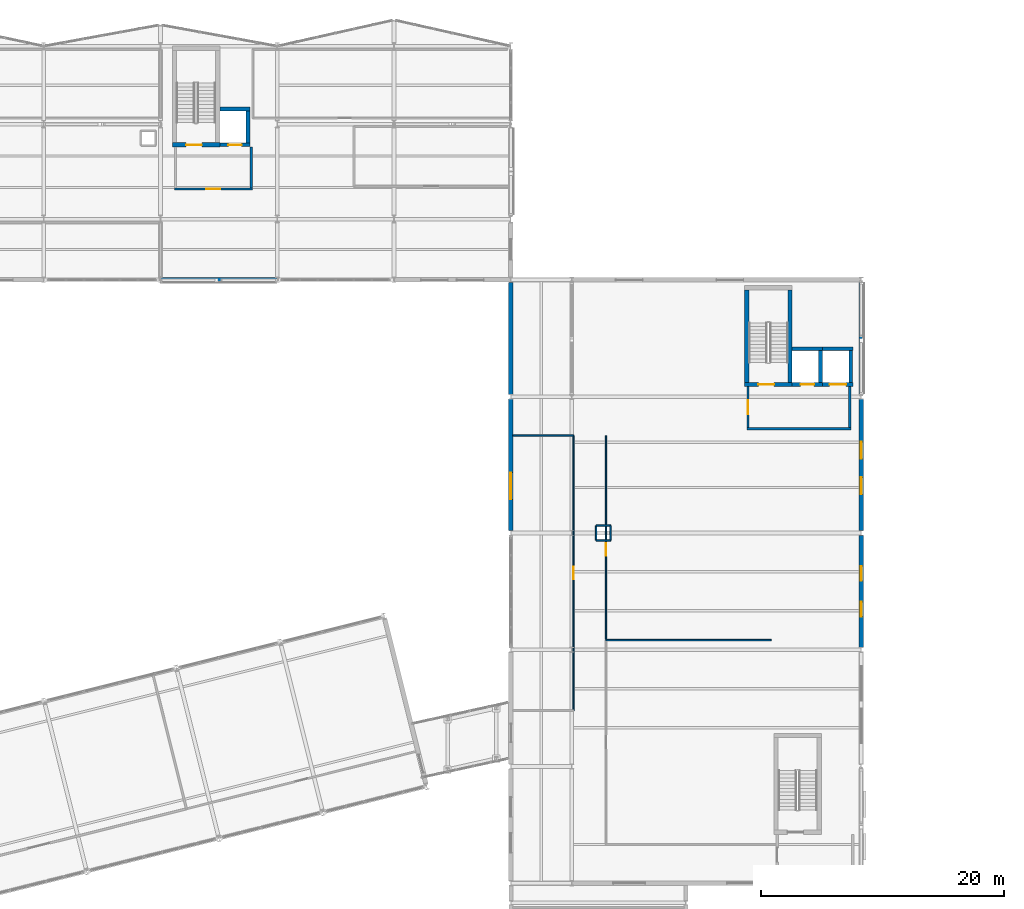
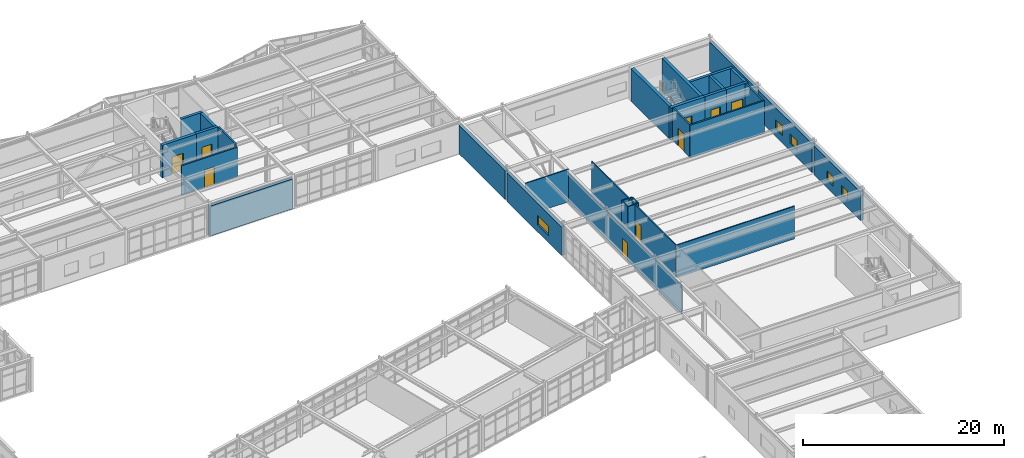
# One storey, part 86 of 99: 32 walls, 9 doors, 5 windows, 14 openings.
"""IFC4 building model written with IfcOpenShell, lengths in metres."""

from ifc_helpers import new_model, si_unit, direction, frame, frame_2d, origin, place, context, subcontext, project, spatial, rectangle, extrude, material, layer, layer_set, type_object, element, fill, save


model = new_model("IFC4")

# Units and contexts
model_context = context("Model", 3, precision=1e-05, world=origin(), true_north=direction((0.0, 1.0)))
body_context = subcontext(model_context, "Body", "Model", "MODEL_VIEW")
ifc_project = project(units=[si_unit("LENGTHUNIT", "METRE"), si_unit("AREAUNIT", "SQUARE_METRE"), si_unit("VOLUMEUNIT", "CUBIC_METRE"), si_unit("PLANEANGLEUNIT", "RADIAN"), si_unit("MASSUNIT", "GRAM", prefix="KILO")], contexts=[model_context])

# Site, building, storey
site_placement = place(None, origin())
site = spatial("IfcSite", under=ifc_project, at=site_placement, CompositionType="ELEMENT")
building_placement = place(site_placement, origin())
building = spatial("IfcBuilding", under=site, at=building_placement, Name="Nordkorset Police Headquarters", CompositionType="ELEMENT")
storey_placement = place(building_placement, frame((0.0, 0.0, 5.25)))
storey = spatial("IfcBuildingStorey", under=building, at=storey_placement, Name="L01", CompositionType="ELEMENT", Elevation=5.25)

# Wall, opening, door
ifc_material_1 = material(Name="Gypsum board", Category="gypsum")
ifc_layer_1 = layer(ifc_material_1, 0.179931640625, Name="Gypsum board")
ifc_layer_set_1 = layer_set([ifc_layer_1], Name="Gypsum board")
wall_type_1 = type_object("IfcWallType", Name="Wall_Comp_180", PredefinedType="PARTITIONING", material=ifc_layer_set_1)
wall_1_placement = place(storey_placement, frame((58.75, 105.06005859375, 0.0), z_axis=(0.0, 0.0, 1.0), x_axis=(1.0, 0.0, 0.0)))
wall_1 = element("IfcWall", 1, at=wall_1_placement, inside=storey, type_object=wall_type_1, Name="Firefighting Lobby EI 60 Wall K2 L01 S", PredefinedType="PARTITIONING", context=body_context, shape_type="SweptSolid", body=[
    extrude(rectangle(XDim=6.39990234375, YDim=0.179931640625, at=frame_2d((3.199951171875, 0.0))), origin(), (0.0, 0.0, 1.0), 3.580078125),
])
opening_1_placement = place(wall_1_placement, frame((2.625, 0.0, 0.0)))
opening_1 = element("IfcOpeningElement", 2, at=opening_1_placement, cuts=wall_1, Name="Opening DR-01", PredefinedType="OPENING", context=body_context, shape_type="SweptSolid", body=[
    extrude(rectangle(XDim=1.14990234375, YDim=2.14990234375, at=frame_2d((0.574951171875, 1.074951171875))), frame((0.0, 0.10009765625, 0.0), z_axis=(0.0, -1.0, 0.0), x_axis=(1.0, 0.0, 0.0)), (0.0, 0.0, 1.0), 0.199951171875),
])
ifc_material_2 = material(Name="Steel S355J2", Category="steel")
door_type_1 = type_object("IfcDoorType", Name="Door_LobbySingle_1150x2150", OperationType="NOTDEFINED", PredefinedType="DOOR", material=ifc_material_2)
door_1_placement = place(opening_1_placement, frame((1.14990234375, 0.0, 0.0), z_axis=(0.0, 0.0, 1.0), x_axis=(-1.0, 0.0, 0.0)))
door_1 = element("IfcDoor", 3, at=door_1_placement, inside=storey, type_object=door_type_1, Name="Firefighting Lobby Smoke Door K2 L01 S", OperationType="SINGLE_SWING_LEFT", OverallHeight=2.14990234375, OverallWidth=1.14990234375, PredefinedType="DOOR", context=body_context, shape_type="SweptSolid", body=[
    extrude(rectangle(XDim=1.14990234375, YDim=2.14990234375, at=frame_2d((0.574951171875, 1.074951171875))), frame((0.0, 0.02490234375, 0.0), z_axis=(0.0, -1.0, 0.0), x_axis=(1.0, 0.0, 0.0)), (0.0, 0.0, 1.0), 0.050048828125),
])
fill(opening_1, door_1)

# Walls
wall_2_placement = place(storey_placement, frame((65.06005859375, 105.14990234375, 0.0), z_axis=(0.0, 0.0, 1.0), x_axis=(0.0, 1.0, 0.0)))
element("IfcWall", 4, at=wall_2_placement, inside=storey, type_object=wall_type_1, Name="Firefighting Lobby EI 60 Wall K2 L01 E", PredefinedType="PARTITIONING", context=body_context, shape_type="SweptSolid", body=[
    extrude(rectangle(XDim=3.375, YDim=0.179931640625, at=frame_2d((1.6875, 0.0))), origin(), (0.0, 0.0, 1.0), 3.9599609375),
])
wall_3_placement = place(storey_placement, frame((105.800048828125, 85.360107421875, 0.0), z_axis=(0.0, 0.0, 1.0), x_axis=(1.0, 0.0, 0.0)))
element("IfcWall", 5, at=wall_3_placement, inside=storey, type_object=wall_type_1, Name="Firefighting Lobby EI 60 Wall K5 L01 S", PredefinedType="PARTITIONING", context=body_context, shape_type="SweptSolid", body=[
    extrude(rectangle(XDim=8.550048828125, YDim=0.179931640625, at=frame_2d((4.27490234375, 0.0))), origin(), (0.0, 0.0, 1.0), 3.9599609375),
])

# Wall, opening, door
wall_4_placement = place(storey_placement, frame((105.889892578125, 85.449951171875, 0.0), z_axis=(0.0, 0.0, 1.0), x_axis=(0.0, 1.0, 0.0)))
wall_4 = element("IfcWall", 6, at=wall_4_placement, inside=storey, type_object=wall_type_1, Name="Firefighting Lobby EI 60 Wall K5 L01 W", PredefinedType="PARTITIONING", context=body_context, shape_type="SweptSolid", body=[
    extrude(rectangle(XDim=3.375, YDim=0.179931640625, at=frame_2d((1.6875, 0.0))), origin(), (0.0, 0.0, 1.0), 3.9599609375),
])
opening_2_placement = place(wall_4_placement, frame((1.112548828125, 0.0, 0.0)))
opening_2 = element("IfcOpeningElement", 7, at=opening_2_placement, cuts=wall_4, Name="Opening DR-01", PredefinedType="OPENING", context=body_context, shape_type="SweptSolid", body=[
    extrude(rectangle(XDim=1.14990234375, YDim=2.14990234375, at=frame_2d((0.574951171875, 1.074951171875))), frame((0.0, 0.10009765625, 0.0), z_axis=(0.0, -1.0, 0.0), x_axis=(1.0, 0.0, 0.0)), (0.0, 0.0, 1.0), 0.199951171875),
])
door_2_placement = place(opening_2_placement, origin())
door_2 = element("IfcDoor", 8, at=door_2_placement, inside=storey, type_object=door_type_1, Name="Firefighting Lobby Smoke Door K5 L01 W", OperationType="SINGLE_SWING_LEFT", OverallHeight=2.14990234375, OverallWidth=1.14990234375, PredefinedType="DOOR", context=body_context, shape_type="SweptSolid", body=[
    extrude(rectangle(XDim=1.14990234375, YDim=2.14990234375, at=frame_2d((0.574951171875, 1.074951171875))), frame((0.0, 0.02490234375, 0.0), z_axis=(0.0, -1.0, 0.0), x_axis=(1.0, 0.0, 0.0)), (0.0, 0.0, 1.0), 0.050048828125),
])
fill(opening_2, door_2)

# Wall
wall_5_placement = place(storey_placement, frame((114.260009765625, 85.449951171875, 0.0), z_axis=(0.0, 0.0, 1.0), x_axis=(0.0, 1.0, 0.0)))
element("IfcWall", 9, at=wall_5_placement, inside=storey, type_object=wall_type_1, Name="Firefighting Lobby EI 60 Wall K5 L01 E", PredefinedType="PARTITIONING", context=body_context, shape_type="SweptSolid", body=[
    extrude(rectangle(XDim=3.375, YDim=0.179931640625, at=frame_2d((1.6875, 0.0))), origin(), (0.0, 0.0, 1.0), 3.9599609375),
])

# Wall, opening, door
ifc_material_3 = material(Name="Concrete C35/45", Category="concrete")
ifc_layer_2 = layer(ifc_material_3, 0.35009765625, Name="Concrete C35/45")
ifc_layer_set_2 = layer_set([ifc_layer_2], Name="Concrete C35/45")
wall_type_2 = type_object("IfcWallType", Name="Wall_CoreShear_350", PredefinedType="SHEAR", material=ifc_layer_set_2)
wall_6_placement = place(storey_placement, frame((58.574951171875, 108.699951171875, 0.0), z_axis=(0.0, 0.0, 1.0), x_axis=(1.0, 0.0, 0.0)))
wall_6 = element("IfcWall", 10, at=wall_6_placement, inside=storey, type_object=wall_type_2, Name="Core K2 Stair Shaft South Shear Wall L01", PredefinedType="SHEAR", context=body_context, shape_type="SweptSolid", body=[
    extrude(rectangle(XDim=3.900146484375, YDim=0.35009765625, at=frame_2d((1.9501953125, 0.0))), origin(), (0.0, 0.0, 1.0), 3.9599609375),
])
opening_3_placement = place(wall_6_placement, frame((1.125, 0.0, 0.0)))
opening_3 = element("IfcOpeningElement", 11, at=opening_3_placement, cuts=wall_6, Name="Opening DR-20", PredefinedType="OPENING", context=body_context, shape_type="SweptSolid", body=[
    extrude(rectangle(XDim=1.300048828125, YDim=2.14990234375, at=frame_2d((0.64990234375, 1.074951171875))), frame((0.0, 0.18505859375, 0.0), z_axis=(0.0, -1.0, 0.0), x_axis=(1.0, 0.0, 0.0)), (0.0, 0.0, 1.0), 0.3701171875),
])
ifc_material_4 = material(Name="Steel S355J2", Category="steel")
door_type_2 = type_object("IfcDoorType", Name="Door_Stair_1300x2150", OperationType="NOTDEFINED", PredefinedType="DOOR", material=ifc_material_4)
door_3_placement = place(opening_3_placement, frame((1.300048828125, 0.0, 0.0), z_axis=(0.0, 0.0, 1.0), x_axis=(-1.0, 0.0, 0.0)))
door_3 = element("IfcDoor", 12, at=door_3_placement, inside=storey, type_object=door_type_2, Name="Protected Stair Fire Door ST-02 L01", OperationType="SINGLE_SWING_RIGHT", OverallHeight=2.14990234375, OverallWidth=1.300048828125, PredefinedType="DOOR", context=body_context, shape_type="SweptSolid", body=[
    extrude(rectangle(XDim=1.300048828125, YDim=2.14990234375, at=frame_2d((0.64990234375, 1.074951171875))), frame((0.0, 0.02490234375, 0.0), z_axis=(0.0, -1.0, 0.0), x_axis=(1.0, 0.0, 0.0)), (0.0, 0.0, 1.0), 0.050048828125),
])
fill(opening_3, door_3)

wall_7_placement = place(storey_placement, frame((105.625, 89.0, 0.0), z_axis=(0.0, 0.0, 1.0), x_axis=(1.0, 0.0, 0.0)))
wall_7 = element("IfcWall", 13, at=wall_7_placement, inside=storey, type_object=wall_type_2, Name="Core K5 Stair Shaft South Shear Wall L01", PredefinedType="SHEAR", context=body_context, shape_type="SweptSolid", body=[
    extrude(rectangle(XDim=3.89990234375, YDim=0.35009765625, at=frame_2d((1.949951171875, 0.0))), origin(), (0.0, 0.0, 1.0), 3.9599609375),
])
opening_4_placement = place(wall_7_placement, frame((1.125, 0.0, 0.0)))
opening_4 = element("IfcOpeningElement", 14, at=opening_4_placement, cuts=wall_7, Name="Opening DR-20", PredefinedType="OPENING", context=body_context, shape_type="SweptSolid", body=[
    extrude(rectangle(XDim=1.300048828125, YDim=2.14990234375, at=frame_2d((0.64990234375, 1.074951171875))), frame((0.0, 0.18505859375, 0.0), z_axis=(0.0, -1.0, 0.0), x_axis=(1.0, 0.0, 0.0)), (0.0, 0.0, 1.0), 0.3701171875),
])
door_4_placement = place(opening_4_placement, frame((1.300048828125, 0.0, 0.0), z_axis=(0.0, 0.0, 1.0), x_axis=(-1.0, 0.0, 0.0)))
door_4 = element("IfcDoor", 15, at=door_4_placement, inside=storey, type_object=door_type_2, Name="Protected Stair Fire Door ST-05 L01", OperationType="SINGLE_SWING_RIGHT", OverallHeight=2.14990234375, OverallWidth=1.300048828125, PredefinedType="DOOR", context=body_context, shape_type="SweptSolid", body=[
    extrude(rectangle(XDim=1.300048828125, YDim=2.14990234375, at=frame_2d((0.64990234375, 1.074951171875))), frame((0.0, 0.02490234375, 0.0), z_axis=(0.0, -1.0, 0.0), x_axis=(1.0, 0.0, 0.0)), (0.0, 0.0, 1.0), 0.050048828125),
])
fill(opening_4, door_4)

# Walls
for number, where, z_axis, x_axis, name in (
    (16, (105.800048828125, 89.175048828125, 0.0), (0.0, 0.0, 1.0), (0.0, 1.0, 0.0), "Core K5 Stair Shaft West Shear Wall L01"),
    (17, (109.35009765625, 89.175048828125, 0.0), (0.0, 0.0, 1.0), (0.0, 1.0, 0.0), "Core K5 Stair Shaft East Shear Wall L01"),
):
    element("IfcWall", number, at=place(storey_placement, frame(where, z_axis=z_axis, x_axis=x_axis)), inside=storey, type_object=wall_type_2, Name=name, PredefinedType="SHEAR", context=body_context, shape_type="SweptSolid", body=[
        extrude(rectangle(XDim=7.599853515625, YDim=0.35009765625, at=frame_2d((3.7998046875, 0.0))), origin(), (0.0, 0.0, 1.0), 3.9599609375),
    ])
ifc_material_5 = material(Name="Precast concrete C40/50", Category="concrete")
ifc_layer_3 = layer(ifc_material_5, 0.360107421875, Name="Precast concrete C40/50")
ifc_layer_set_3 = layer_set([ifc_layer_3], Name="Precast concrete C40/50")
wall_type_3 = type_object("IfcWallType", Name="Wall_ExtPrecast_360", PredefinedType="SOLIDWALL", material=ifc_layer_set_3)
wall_8_placement = place(storey_placement, frame((57.608642578125, 97.60009765625, 0.0), z_axis=(0.0, 0.0, 1.0), x_axis=(1.0, 0.0, 0.0)))
element("IfcWall", 18, at=wall_8_placement, inside=storey, type_object=wall_type_3, Name="Exterior Insulated Precast Wall L01 V2S-3", PredefinedType="SOLIDWALL", context=body_context, shape_type="SweptSolid", body=[
    extrude(rectangle(XDim=9.58251953125, YDim=0.360107421875, at=frame_2d((4.791259765625, 0.0))), origin(), (0.0, 0.0, 1.0), 3.6298828125),
])

# Wall, openings, windows
wall_9_placement = place(storey_placement, frame((115.199951171875, 67.402099609375, 0.0), z_axis=(0.0, 0.0, 1.0), x_axis=(0.0, 1.0, 0.0)))
wall_9 = element("IfcWall", 19, at=wall_9_placement, inside=storey, type_object=wall_type_3, Name="Exterior Insulated Precast Wall L01 V5E-2", PredefinedType="SOLIDWALL", context=body_context, shape_type="SweptSolid", body=[
    extrude(rectangle(XDim=9.19580078125, YDim=0.360107421875, at=frame_2d((4.597900390625, 0.0))), origin(), (0.0, 0.0, 1.0), 3.5),
])
opening_5_placement = place(wall_9_placement, frame((2.53125, 0.0, 0.89990234375)))
opening_5 = element("IfcOpeningElement", 20, at=opening_5_placement, cuts=wall_9, Name="Opening WN-19", PredefinedType="OPENING", context=body_context, shape_type="SweptSolid", body=[
    extrude(rectangle(XDim=1.199951171875, YDim=1.14990234375, at=frame_2d((0.60009765625, 0.574951171875))), frame((0.0, 0.18994140625, 0.0), z_axis=(0.0, -1.0, 0.0), x_axis=(1.0, 0.0, 0.0)), (0.0, 0.0, 1.0), 0.380126953125),
])
opening_6_placement = place(wall_9_placement, frame((5.464599609375, 0.0, 0.89990234375)))
opening_6 = element("IfcOpeningElement", 21, at=opening_6_placement, cuts=wall_9, Name="Opening WN-19", PredefinedType="OPENING", context=body_context, shape_type="SweptSolid", body=[
    extrude(rectangle(XDim=1.199951171875, YDim=1.14990234375, at=frame_2d((0.60009765625, 0.574951171875))), frame((0.0, 0.18994140625, 0.0), z_axis=(0.0, -1.0, 0.0), x_axis=(1.0, 0.0, 0.0)), (0.0, 0.0, 1.0), 0.380126953125),
])
ifc_material_6 = material(Name="Low-iron triple glazing", Category="glass")
window_type_1 = type_object("IfcWindowType", Name="Win_1200x1150", PartitioningType="SINGLE_PANEL", PredefinedType="WINDOW", material=ifc_material_6)
window_1_placement = place(opening_5_placement, origin())
window_1 = element("IfcWindow", 22, at=window_1_placement, inside=storey, type_object=window_type_1, Name="Triple-Glazed Exterior Window L01 V5E-2-1", OverallHeight=1.14990234375, OverallWidth=1.199951171875, PartitioningType="SINGLE_PANEL", PredefinedType="WINDOW", context=body_context, shape_type="SweptSolid", body=[
    extrude(rectangle(XDim=1.199951171875, YDim=1.14990234375, at=frame_2d((0.60009765625, 0.574951171875))), frame((0.0, 0.030029296875, 0.0), z_axis=(0.0, -1.0, 0.0), x_axis=(1.0, 0.0, 0.0)), (0.0, 0.0, 1.0), 0.06005859375),
])
fill(opening_5, window_1)
window_2_placement = place(opening_6_placement, origin())
window_2 = element("IfcWindow", 23, at=window_2_placement, inside=storey, type_object=window_type_1, Name="Triple-Glazed Exterior Window L01 V5E-2-2", OverallHeight=1.14990234375, OverallWidth=1.199951171875, PartitioningType="SINGLE_PANEL", PredefinedType="WINDOW", context=body_context, shape_type="SweptSolid", body=[
    extrude(rectangle(XDim=1.199951171875, YDim=1.14990234375, at=frame_2d((0.60009765625, 0.574951171875))), frame((0.0, 0.030029296875, 0.0), z_axis=(0.0, -1.0, 0.0), x_axis=(1.0, 0.0, 0.0)), (0.0, 0.0, 1.0), 0.06005859375),
])
fill(opening_6, window_2)

wall_10_placement = place(storey_placement, frame((115.199951171875, 77.001953125, 0.0), z_axis=(0.0, 0.0, 1.0), x_axis=(0.0, 1.0, 0.0)))
wall_10 = element("IfcWall", 24, at=wall_10_placement, inside=storey, type_object=wall_type_3, Name="Exterior Insulated Precast Wall L01 V5E-3", PredefinedType="SOLIDWALL", context=body_context, shape_type="SweptSolid", body=[
    extrude(rectangle(XDim=10.796142578125, YDim=0.360107421875, at=frame_2d((5.39794921875, 0.0))), origin(), (0.0, 0.0, 1.0), 3.5),
])
opening_7_placement = place(wall_10_placement, frame((2.964599609375, 0.0, 0.89990234375)))
opening_7 = element("IfcOpeningElement", 25, at=opening_7_placement, cuts=wall_10, Name="Opening WN-16", PredefinedType="OPENING", context=body_context, shape_type="SweptSolid", body=[
    extrude(rectangle(XDim=1.39990234375, YDim=1.14990234375, at=frame_2d((0.699951171875, 0.574951171875))), frame((0.0, 0.18994140625, 0.0), z_axis=(0.0, -1.0, 0.0), x_axis=(1.0, 0.0, 0.0)), (0.0, 0.0, 1.0), 0.380126953125),
])
opening_8_placement = place(wall_10_placement, frame((5.88134765625, 0.0, 0.89990234375)))
opening_8 = element("IfcOpeningElement", 26, at=opening_8_placement, cuts=wall_10, Name="Opening WN-16", PredefinedType="OPENING", context=body_context, shape_type="SweptSolid", body=[
    extrude(rectangle(XDim=1.39990234375, YDim=1.14990234375, at=frame_2d((0.699951171875, 0.574951171875))), frame((0.0, 0.18994140625, 0.0), z_axis=(0.0, -1.0, 0.0), x_axis=(1.0, 0.0, 0.0)), (0.0, 0.0, 1.0), 0.380126953125),
])
ifc_material_7 = material(Name="Low-iron triple glazing", Category="glass")
window_type_2 = type_object("IfcWindowType", Name="Win_1400x1150", PartitioningType="SINGLE_PANEL", PredefinedType="WINDOW", material=ifc_material_7)
window_3_placement = place(opening_7_placement, origin())
window_3 = element("IfcWindow", 27, at=window_3_placement, inside=storey, type_object=window_type_2, Name="Triple-Glazed Exterior Window L01 V5E-3-1", OverallHeight=1.14990234375, OverallWidth=1.39990234375, PartitioningType="SINGLE_PANEL", PredefinedType="WINDOW", context=body_context, shape_type="SweptSolid", body=[
    extrude(rectangle(XDim=1.39990234375, YDim=1.14990234375, at=frame_2d((0.699951171875, 0.574951171875))), frame((0.0, 0.030029296875, 0.0), z_axis=(0.0, -1.0, 0.0), x_axis=(1.0, 0.0, 0.0)), (0.0, 0.0, 1.0), 0.06005859375),
])
fill(opening_7, window_3)
window_4_placement = place(opening_8_placement, origin())
window_4 = element("IfcWindow", 28, at=window_4_placement, inside=storey, type_object=window_type_2, Name="Triple-Glazed Exterior Window L01 V5E-3-2", OverallHeight=1.14990234375, OverallWidth=1.39990234375, PartitioningType="SINGLE_PANEL", PredefinedType="WINDOW", context=body_context, shape_type="SweptSolid", body=[
    extrude(rectangle(XDim=1.39990234375, YDim=1.14990234375, at=frame_2d((0.699951171875, 0.574951171875))), frame((0.0, 0.030029296875, 0.0), z_axis=(0.0, -1.0, 0.0), x_axis=(1.0, 0.0, 0.0)), (0.0, 0.0, 1.0), 0.06005859375),
])
fill(opening_8, window_4)

# Wall, opening, window
wall_11_placement = place(storey_placement, frame((86.39990234375, 77.001953125, 0.0), z_axis=(0.0, 0.0, 1.0), x_axis=(0.0, 1.0, 0.0)))
wall_11 = element("IfcWall", 29, at=wall_11_placement, inside=storey, type_object=wall_type_3, Name="Exterior Insulated Precast Wall L01 V5W-3", PredefinedType="SOLIDWALL", context=body_context, shape_type="SweptSolid", body=[
    extrude(rectangle(XDim=10.796142578125, YDim=0.360107421875, at=frame_2d((5.39794921875, 0.0))), origin(), (0.0, 0.0, 1.0), 3.5),
])
opening_9_placement = place(wall_11_placement, frame((2.564697265625, 0.0, 0.89990234375)))
opening_9 = element("IfcOpeningElement", 30, at=opening_9_placement, cuts=wall_11, Name="Opening WN-07", PredefinedType="OPENING", context=body_context, shape_type="SweptSolid", body=[
    extrude(rectangle(XDim=2.199951171875, YDim=1.14990234375, at=frame_2d((1.10009765625, 0.574951171875))), frame((0.0, 0.18994140625, 0.0), z_axis=(0.0, -1.0, 0.0), x_axis=(1.0, 0.0, 0.0)), (0.0, 0.0, 1.0), 0.380126953125),
])
ifc_material_8 = material(Name="Low-iron triple glazing", Category="glass")
window_type_3 = type_object("IfcWindowType", Name="Win_2200x1150", PartitioningType="SINGLE_PANEL", PredefinedType="WINDOW", material=ifc_material_8)
window_5_placement = place(opening_9_placement, origin())
window_5 = element("IfcWindow", 31, at=window_5_placement, inside=storey, type_object=window_type_3, Name="Triple-Glazed Exterior Window L01 V5W-3-1", OverallHeight=1.14990234375, OverallWidth=2.199951171875, PartitioningType="SINGLE_PANEL", PredefinedType="WINDOW", context=body_context, shape_type="SweptSolid", body=[
    extrude(rectangle(XDim=2.199951171875, YDim=1.14990234375, at=frame_2d((1.10009765625, 0.574951171875))), frame((0.0, 0.030029296875, 0.0), z_axis=(0.0, -1.0, 0.0), x_axis=(1.0, 0.0, 0.0)), (0.0, 0.0, 1.0), 0.06005859375),
])
fill(opening_9, window_5)

# Walls
for number, where, z_axis, x_axis, name in (
    (32, (115.199951171875, 88.201904296875, 0.0), (0.0, 0.0, 1.0), (0.0, 1.0, 0.0), "Exterior Insulated Precast Wall L01 V5E-4"),
    (33, (86.39990234375, 88.201904296875, 0.0), (0.0, 0.0, 1.0), (0.0, 1.0, 0.0), "Exterior Insulated Precast Wall L01 V5W-4"),
):
    element("IfcWall", number, at=place(storey_placement, frame(where, z_axis=z_axis, x_axis=x_axis)), inside=storey, type_object=wall_type_3, Name=name, PredefinedType="SOLIDWALL", context=body_context, shape_type="SweptSolid", body=[
        extrude(rectangle(XDim=9.196044921875, YDim=0.360107421875, at=frame_2d((4.59814453125, 0.0))), origin(), (0.0, 0.0, 1.0), 3.5),
    ])

# Wall, opening, door
ifc_material_9 = material(Name="Gypsum board", Category="gypsum")
ifc_layer_4 = layer(ifc_material_9, 0.1201171875, Name="Gypsum board")
ifc_layer_set_4 = layer_set([ifc_layer_4], Name="Gypsum board")
wall_type_4 = type_object("IfcWallType", Name="Wall_Part_120", PredefinedType="PARTITIONING", material=ifc_layer_set_4)
wall_12_placement = place(storey_placement, frame((91.550048828125, 62.199951171875, 0.0), z_axis=(0.0, 0.0, 1.0), x_axis=(0.0, 1.0, 0.0)))
wall_12 = element("IfcWall", 34, at=wall_12_placement, inside=storey, type_object=wall_type_4, Name="Interior Partition Wall Tactical Instructor Workroom", PredefinedType="PARTITIONING", context=body_context, shape_type="SweptSolid", body=[
    extrude(rectangle(XDim=22.60009765625, YDim=0.1201171875, at=frame_2d((11.300048828125, 0.0))), origin(), (0.0, 0.0, 1.0), 3.5),
])
opening_10_placement = place(wall_12_placement, frame((10.7900390625, 0.0, 0.0)))
opening_10 = element("IfcOpeningElement", 35, at=opening_10_placement, cuts=wall_12, Name="Opening DR-19", PredefinedType="OPENING", context=body_context, shape_type="SweptSolid", body=[
    extrude(rectangle(XDim=1.02001953125, YDim=2.10009765625, at=frame_2d((0.510009765625, 1.050048828125))), frame((0.0, 0.070068359375, 0.0), z_axis=(0.0, -1.0, 0.0), x_axis=(1.0, 0.0, 0.0)), (0.0, 0.0, 1.0), 0.14013671875),
])
ifc_material_10 = material(Name="Glulam GL30c", Category="wood")
door_type_3 = type_object("IfcDoorType", Name="Door_Office_1020x2100", OperationType="NOTDEFINED", PredefinedType="DOOR", material=ifc_material_10)
door_5_placement = place(opening_10_placement, origin())
door_5 = element("IfcDoor", 36, at=door_5_placement, inside=storey, type_object=door_type_3, Name="Interior Door Tactical Instructor Workroom", OperationType="SINGLE_SWING_LEFT", OverallHeight=2.10009765625, OverallWidth=1.02001953125, PredefinedType="DOOR", context=body_context, shape_type="SweptSolid", body=[
    extrude(rectangle(XDim=1.02001953125, YDim=2.10009765625, at=frame_2d((0.510009765625, 1.050048828125))), frame((0.0, 0.02490234375, 0.0), z_axis=(0.0, -1.0, 0.0), x_axis=(1.0, 0.0, 0.0)), (0.0, 0.0, 1.0), 0.050048828125),
])
fill(opening_10, door_5)

# Walls
wall_13_placement = place(storey_placement, frame((91.550048828125, 84.800048828125, 0.0), z_axis=(0.0, 0.0, 1.0), x_axis=(-1.0, 0.0, 0.0)))
element("IfcWall", 37, at=wall_13_placement, inside=storey, type_object=wall_type_4, Name="Interior Partition Wall Tactical Instructor Workroom", PredefinedType="PARTITIONING", context=body_context, shape_type="SweptSolid", body=[
    extrude(rectangle(XDim=4.97509765625, YDim=0.1201171875, at=frame_2d((2.487548828125, 0.0))), origin(), (0.0, 0.0, 1.0), 3.9599609375),
])
wall_14_placement = place(storey_placement, frame((107.800048828125, 68.0, 0.0), z_axis=(0.0, 0.0, 1.0), x_axis=(-1.0, 0.0, 0.0)))
element("IfcWall", 38, at=wall_14_placement, inside=storey, type_object=wall_type_4, Name="Interior Partition Wall Tactical Dojo Hall", PredefinedType="PARTITIONING", context=body_context, shape_type="SweptSolid", body=[
    extrude(rectangle(XDim=13.580078125, YDim=0.1201171875, at=frame_2d((6.7900390625, 0.0))), origin(), (0.0, 0.0, 1.0), 3.9599609375),
])

# Wall, opening, door
wall_15_placement = place(storey_placement, frame((94.219970703125, 84.800048828125, 0.0), z_axis=(0.0, 0.0, 1.0), x_axis=(0.0, -1.0, 0.0)))
wall_15 = element("IfcWall", 39, at=wall_15_placement, inside=storey, type_object=wall_type_4, Name="Interior Partition Wall Fitness and Conditioning Studio", PredefinedType="PARTITIONING", context=body_context, shape_type="SweptSolid", body=[
    extrude(rectangle(XDim=16.7451171875, YDim=0.1201171875, at=frame_2d((8.37255859375, 0.0))), origin(), (0.0, 0.0, 1.0), 3.9599609375),
])
opening_11_placement = place(wall_15_placement, frame((8.862548828125, 0.0, 0.0)))
opening_11 = element("IfcOpeningElement", 40, at=opening_11_placement, cuts=wall_15, Name="Opening DR-19", PredefinedType="OPENING", context=body_context, shape_type="SweptSolid", body=[
    extrude(rectangle(XDim=1.02001953125, YDim=2.10009765625, at=frame_2d((0.510009765625, 1.050048828125))), frame((0.0, 0.070068359375, 0.0), z_axis=(0.0, -1.0, 0.0), x_axis=(1.0, 0.0, 0.0)), (0.0, 0.0, 1.0), 0.14013671875),
])
door_6_placement = place(opening_11_placement, origin())
door_6 = element("IfcDoor", 41, at=door_6_placement, inside=storey, type_object=door_type_3, Name="Interior Door Fitness and Conditioning Studio", OperationType="SINGLE_SWING_LEFT", OverallHeight=2.10009765625, OverallWidth=1.02001953125, PredefinedType="DOOR", context=body_context, shape_type="SweptSolid", body=[
    extrude(rectangle(XDim=1.02001953125, YDim=2.10009765625, at=frame_2d((0.510009765625, 1.050048828125))), frame((0.0, 0.02490234375, 0.0), z_axis=(0.0, -1.0, 0.0), x_axis=(1.0, 0.0, 0.0)), (0.0, 0.0, 1.0), 0.050048828125),
])
fill(opening_11, door_6)

# Walls
ifc_material_11 = material(Name="Gypsum board", Category="gypsum")
ifc_layer_5 = layer(ifc_material_11, 0.125, Name="Gypsum board")
ifc_layer_set_5 = layer_set([ifc_layer_5], Name="Gypsum board")
wall_type_5 = type_object("IfcWallType", Name="Wall_Riser_125", PredefinedType="PARTITIONING", material=ifc_layer_set_5)
wall_16_placement = place(storey_placement, frame((93.39990234375, 76.199951171875, 0.0), z_axis=(0.0, 0.0, 1.0), x_axis=(1.0, 0.0, 0.0)))
element("IfcWall", 42, at=wall_16_placement, inside=storey, type_object=wall_type_5, Name="Service Riser Enclosure RSR-V5 L01", PredefinedType="PARTITIONING", context=body_context, shape_type="SweptSolid", body=[
    extrude(rectangle(XDim=1.2001953125, YDim=0.125, at=frame_2d((0.60009765625, 0.0))), origin(), (0.0, 0.0, 1.0), 3.9599609375),
])
wall_17_placement = place(storey_placement, frame((94.60009765625, 76.199951171875, 0.0), z_axis=(0.0, 0.0, 1.0), x_axis=(0.0, 1.0, 0.0)))
element("IfcWall", 43, at=wall_17_placement, inside=storey, type_object=wall_type_5, Name="Service Riser Enclosure RSR-V5 L01", PredefinedType="PARTITIONING", context=body_context, shape_type="SweptSolid", body=[
    extrude(rectangle(XDim=1.199951171875, YDim=0.125, at=frame_2d((0.60009765625, 0.0))), origin(), (0.0, 0.0, 1.0), 3.9599609375),
])
wall_18_placement = place(storey_placement, frame((94.60009765625, 77.39990234375, 0.0), z_axis=(0.0, 0.0, 1.0), x_axis=(-1.0, 0.0, 0.0)))
element("IfcWall", 44, at=wall_18_placement, inside=storey, type_object=wall_type_5, Name="Service Riser Enclosure RSR-V5 L01", PredefinedType="PARTITIONING", context=body_context, shape_type="SweptSolid", body=[
    extrude(rectangle(XDim=1.2001953125, YDim=0.125, at=frame_2d((0.60009765625, 0.0))), origin(), (0.0, 0.0, 1.0), 3.9599609375),
])
wall_19_placement = place(storey_placement, frame((93.39990234375, 77.39990234375, 0.0), z_axis=(0.0, 0.0, 1.0), x_axis=(0.0, -1.0, 0.0)))
element("IfcWall", 45, at=wall_19_placement, inside=storey, type_object=wall_type_5, Name="Service Riser Enclosure RSR-V5 L01", PredefinedType="PARTITIONING", context=body_context, shape_type="SweptSolid", body=[
    extrude(rectangle(XDim=1.199951171875, YDim=0.125, at=frame_2d((0.60009765625, 0.0))), origin(), (0.0, 0.0, 1.0), 3.9599609375),
])

# Wall, opening, door
ifc_material_12 = material(Name="Concrete C35/45", Category="concrete")
ifc_layer_6 = layer(ifc_material_12, 0.300048828125, Name="Concrete C35/45")
ifc_layer_set_6 = layer_set([ifc_layer_6], Name="Concrete C35/45")
wall_type_6 = type_object("IfcWallType", Name="Wall_ShaftShear_300", PredefinedType="SHEAR", material=ifc_layer_set_6)
wall_20_placement = place(storey_placement, frame((62.47509765625, 108.699951171875, 0.0), z_axis=(0.0, 0.0, 1.0), x_axis=(1.0, 0.0, 0.0)))
wall_20 = element("IfcWall", 46, at=wall_20_placement, inside=storey, type_object=wall_type_6, Name="Lift Shaft LF-04 Front Shear Wall L01", PredefinedType="SHEAR", context=body_context, shape_type="SweptSolid", body=[
    extrude(rectangle(XDim=2.5, YDim=0.300048828125, at=frame_2d((1.25, 0.0))), origin(), (0.0, 0.0, 1.0), 3.9599609375),
])
opening_12_placement = place(wall_20_placement, frame((0.699951171875, 0.0, 0.0)))
opening_12 = element("IfcOpeningElement", 47, at=opening_12_placement, cuts=wall_20, Name="Opening LD-04", PredefinedType="OPENING", context=body_context, shape_type="SweptSolid", body=[
    extrude(rectangle(XDim=1.10009765625, YDim=2.10009765625, at=frame_2d((0.550048828125, 1.050048828125))), frame((0.0, 0.16015625, 0.0), z_axis=(0.0, -1.0, 0.0), x_axis=(1.0, 0.0, 0.0)), (0.0, 0.0, 1.0), 0.320068359375),
])
ifc_material_13 = material(Name="Steel S355J2", Category="steel")
door_type_4 = type_object("IfcDoorType", Name="Door_LiftLanding_1100x2100", OperationType="SLIDING_TO_LEFT", PredefinedType="DOOR", material=ifc_material_13)
door_7_placement = place(opening_12_placement, frame((1.10009765625, 0.0, 0.0), z_axis=(0.0, 0.0, 1.0), x_axis=(-1.0, 0.0, 0.0)))
door_7 = element("IfcDoor", 48, at=door_7_placement, inside=storey, type_object=door_type_4, Name="Lift Landing Sliding Door LF-04 L01", OperationType="SLIDING_TO_LEFT", OverallHeight=2.10009765625, OverallWidth=1.10009765625, PredefinedType="DOOR", context=body_context, shape_type="SweptSolid", body=[
    extrude(rectangle(XDim=1.10009765625, YDim=2.10009765625, at=frame_2d((0.550048828125, 1.050048828125))), frame((0.0, 0.02490234375, 0.0), z_axis=(0.0, -1.0, 0.0), x_axis=(1.0, 0.0, 0.0)), (0.0, 0.0, 1.0), 0.050048828125),
])
fill(opening_12, door_7)

# Walls
wall_21_placement = place(storey_placement, frame((62.47509765625, 111.64990234375, 0.0), z_axis=(0.0, 0.0, 1.0), x_axis=(1.0, 0.0, 0.0)))
element("IfcWall", 49, at=wall_21_placement, inside=storey, type_object=wall_type_6, Name="Lift Shaft LF-04 Rear Shear Wall L01", PredefinedType="SHEAR", context=body_context, shape_type="SweptSolid", body=[
    extrude(rectangle(XDim=2.5, YDim=0.300048828125, at=frame_2d((1.25, 0.0))), origin(), (0.0, 0.0, 1.0), 3.9599609375),
])
wall_22_placement = place(storey_placement, frame((64.800048828125, 108.85009765625, 0.0), z_axis=(0.0, 0.0, 1.0), x_axis=(0.0, 1.0, 0.0)))
element("IfcWall", 50, at=wall_22_placement, inside=storey, type_object=wall_type_6, Name="Lift Shaft LF-04 East Shear Wall L01", PredefinedType="SHEAR", context=body_context, shape_type="SweptSolid", body=[
    extrude(rectangle(XDim=2.64990234375, YDim=0.300048828125, at=frame_2d((1.324951171875, 0.0))), origin(), (0.0, 0.0, 1.0), 3.9599609375),
])

# Wall, opening, door
wall_23_placement = place(storey_placement, frame((109.52490234375, 89.0, 0.0), z_axis=(0.0, 0.0, 1.0), x_axis=(1.0, 0.0, 0.0)))
wall_23 = element("IfcWall", 51, at=wall_23_placement, inside=storey, type_object=wall_type_6, Name="Lift Shaft LF-05 Front Shear Wall L01", PredefinedType="SHEAR", context=body_context, shape_type="SweptSolid", body=[
    extrude(rectangle(XDim=2.5, YDim=0.300048828125, at=frame_2d((1.25, 0.0))), origin(), (0.0, 0.0, 1.0), 3.9599609375),
])
opening_13_placement = place(wall_23_placement, frame((0.699951171875, 0.0, 0.0)))
opening_13 = element("IfcOpeningElement", 52, at=opening_13_placement, cuts=wall_23, Name="Opening LD-05", PredefinedType="OPENING", context=body_context, shape_type="SweptSolid", body=[
    extrude(rectangle(XDim=1.10009765625, YDim=2.10009765625, at=frame_2d((0.550048828125, 1.050048828125))), frame((0.0, 0.16015625, 0.0), z_axis=(0.0, -1.0, 0.0), x_axis=(1.0, 0.0, 0.0)), (0.0, 0.0, 1.0), 0.320068359375),
])
door_8_placement = place(opening_13_placement, frame((1.10009765625, 0.0, 0.0), z_axis=(0.0, 0.0, 1.0), x_axis=(-1.0, 0.0, 0.0)))
door_8 = element("IfcDoor", 53, at=door_8_placement, inside=storey, type_object=door_type_4, Name="Lift Landing Sliding Door LF-05 L01", OperationType="SLIDING_TO_LEFT", OverallHeight=2.10009765625, OverallWidth=1.10009765625, PredefinedType="DOOR", context=body_context, shape_type="SweptSolid", body=[
    extrude(rectangle(XDim=1.10009765625, YDim=2.10009765625, at=frame_2d((0.550048828125, 1.050048828125))), frame((0.0, 0.02490234375, 0.0), z_axis=(0.0, -1.0, 0.0), x_axis=(1.0, 0.0, 0.0)), (0.0, 0.0, 1.0), 0.050048828125),
])
fill(opening_13, door_8)

# Walls
wall_24_placement = place(storey_placement, frame((109.52490234375, 91.949951171875, 0.0), z_axis=(0.0, 0.0, 1.0), x_axis=(1.0, 0.0, 0.0)))
element("IfcWall", 54, at=wall_24_placement, inside=storey, type_object=wall_type_6, Name="Lift Shaft LF-05 Rear Shear Wall L01", PredefinedType="SHEAR", context=body_context, shape_type="SweptSolid", body=[
    extrude(rectangle(XDim=2.5, YDim=0.300048828125, at=frame_2d((1.25, 0.0))), origin(), (0.0, 0.0, 1.0), 3.9599609375),
])
wall_25_placement = place(storey_placement, frame((111.85009765625, 89.14990234375, 0.0), z_axis=(0.0, 0.0, 1.0), x_axis=(0.0, 1.0, 0.0)))
element("IfcWall", 55, at=wall_25_placement, inside=storey, type_object=wall_type_6, Name="Lift Shaft LF-05 East Shear Wall L01", PredefinedType="SHEAR", context=body_context, shape_type="SweptSolid", body=[
    extrude(rectangle(XDim=2.650146484375, YDim=0.300048828125, at=frame_2d((1.3251953125, 0.0))), origin(), (0.0, 0.0, 1.0), 3.9599609375),
])

# Wall, opening, door
wall_26_placement = place(storey_placement, frame((112.02490234375, 89.0, 0.0), z_axis=(0.0, 0.0, 1.0), x_axis=(1.0, 0.0, 0.0)))
wall_26 = element("IfcWall", 56, at=wall_26_placement, inside=storey, type_object=wall_type_6, Name="Lift Shaft LF-07 Front Shear Wall L01", PredefinedType="SHEAR", context=body_context, shape_type="SweptSolid", body=[
    extrude(rectangle(XDim=2.5, YDim=0.300048828125, at=frame_2d((1.25, 0.0))), origin(), (0.0, 0.0, 1.0), 3.9599609375),
])
opening_14_placement = place(wall_26_placement, frame((0.574951171875, 0.0, 0.0)))
opening_14 = element("IfcOpeningElement", 57, at=opening_14_placement, cuts=wall_26, Name="Opening LD-07", PredefinedType="OPENING", context=body_context, shape_type="SweptSolid", body=[
    extrude(rectangle(XDim=1.35009765625, YDim=2.14990234375, at=frame_2d((0.675048828125, 1.074951171875))), frame((0.0, 0.16015625, 0.0), z_axis=(0.0, -1.0, 0.0), x_axis=(1.0, 0.0, 0.0)), (0.0, 0.0, 1.0), 0.320068359375),
])
ifc_material_14 = material(Name="Steel S355J2", Category="steel")
door_type_5 = type_object("IfcDoorType", Name="Door_LiftGoods_1350x2150", OperationType="SLIDING_TO_RIGHT", PredefinedType="DOOR", material=ifc_material_14)
door_9_placement = place(opening_14_placement, frame((1.35009765625, 0.0, 0.0), z_axis=(0.0, 0.0, 1.0), x_axis=(-1.0, 0.0, 0.0)))
door_9 = element("IfcDoor", 58, at=door_9_placement, inside=storey, type_object=door_type_5, Name="Lift Landing Sliding Door LF-07 L01", OperationType="SLIDING_TO_RIGHT", OverallHeight=2.14990234375, OverallWidth=1.35009765625, PredefinedType="DOOR", context=body_context, shape_type="SweptSolid", body=[
    extrude(rectangle(XDim=1.35009765625, YDim=2.14990234375, at=frame_2d((0.675048828125, 1.074951171875))), frame((0.0, 0.02490234375, 0.0), z_axis=(0.0, -1.0, 0.0), x_axis=(1.0, 0.0, 0.0)), (0.0, 0.0, 1.0), 0.050048828125),
])
fill(opening_14, door_9)

# Walls
wall_27_placement = place(storey_placement, frame((112.02490234375, 91.949951171875, 0.0), z_axis=(0.0, 0.0, 1.0), x_axis=(1.0, 0.0, 0.0)))
element("IfcWall", 59, at=wall_27_placement, inside=storey, type_object=wall_type_6, Name="Lift Shaft LF-07 Rear Shear Wall L01", PredefinedType="SHEAR", context=body_context, shape_type="SweptSolid", body=[
    extrude(rectangle(XDim=2.5, YDim=0.300048828125, at=frame_2d((1.25, 0.0))), origin(), (0.0, 0.0, 1.0), 3.9599609375),
])
wall_28_placement = place(storey_placement, frame((114.35009765625, 89.14990234375, 0.0), z_axis=(0.0, 0.0, 1.0), x_axis=(0.0, 1.0, 0.0)))
element("IfcWall", 60, at=wall_28_placement, inside=storey, type_object=wall_type_6, Name="Lift Shaft LF-07 East Shear Wall L01", PredefinedType="SHEAR", context=body_context, shape_type="SweptSolid", body=[
    extrude(rectangle(XDim=2.650146484375, YDim=0.300048828125, at=frame_2d((1.3251953125, 0.0))), origin(), (0.0, 0.0, 1.0), 3.9599609375),
])

save(model, "model.ifc")
